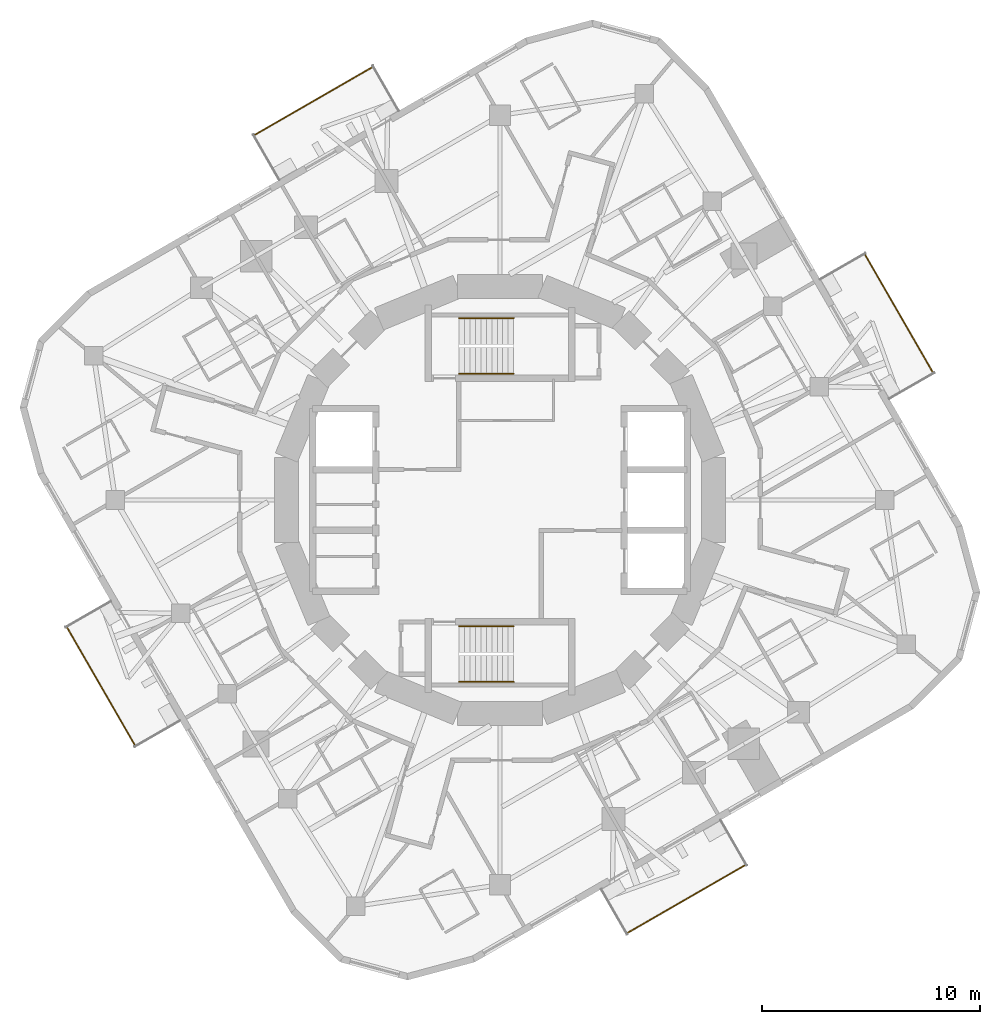
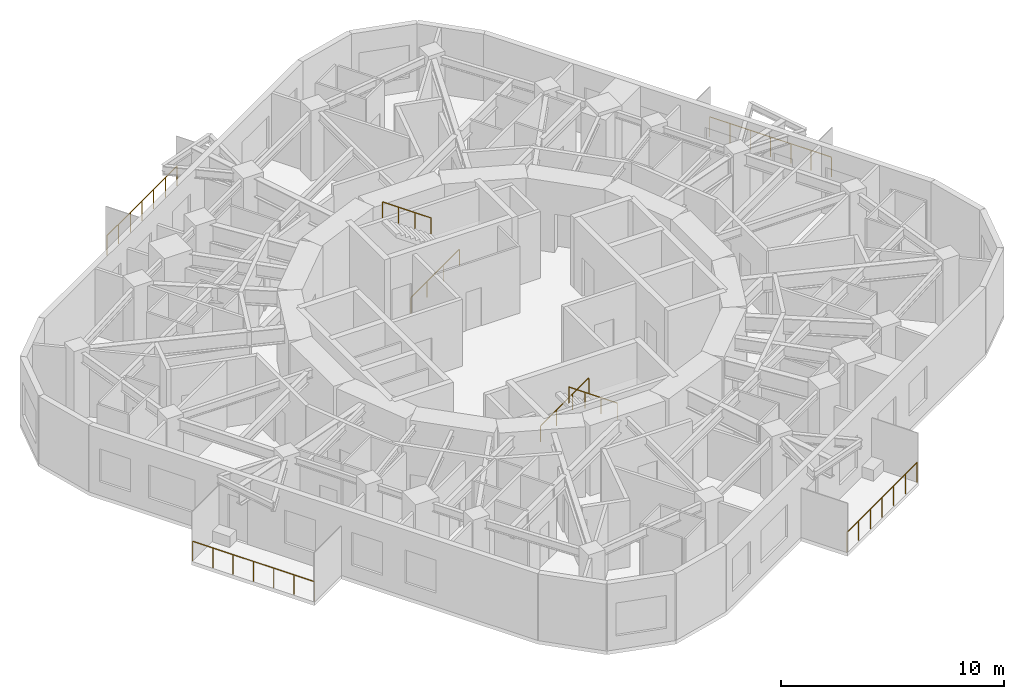
# One storey, part 10 of 11: 8 railings.
"""IFC4 building model written with IfcOpenShell, lengths in metres."""

from ifc_helpers import new_model, si_unit, direction, frame, origin, origin_2d, place, context, subcontext, project, spatial, circle, extrude, material, type_object, element, save


model = new_model("IFC4")

# Units and contexts
model_context = context("Model", 3, precision=1e-05, world=origin(), true_north=direction((0.0, 1.0)))
body_context = subcontext(model_context, "Body", "Model", "MODEL_VIEW")
ifc_project = project(units=[si_unit("LENGTHUNIT", "METRE"), si_unit("AREAUNIT", "SQUARE_METRE"), si_unit("VOLUMEUNIT", "CUBIC_METRE"), si_unit("PLANEANGLEUNIT", "RADIAN"), si_unit("MASSUNIT", "GRAM", prefix="KILO")], contexts=[model_context])

# Site, building, storey
site_placement = place(None, origin())
site = spatial("IfcSite", under=ifc_project, at=site_placement, CompositionType="ELEMENT")
building_placement = place(site_placement, origin())
building = spatial("IfcBuilding", under=site, at=building_placement, Name="Nakasero Lantern House", CompositionType="ELEMENT")
storey_placement = place(building_placement, frame((0.0, 0.0, 246.199951171875)))
storey = spatial("IfcBuildingStorey", under=building, at=storey_placement, Name="L60", CompositionType="ELEMENT", Elevation=246.199951171875)

# Railings
ifc_material_1 = material(Name="Aluminium 6063-T6", Category="aluminium")
railing_type_1 = type_object("IfcRailingType", Name="Balcony guard 1100", PredefinedType="BALUSTRADE", material=ifc_material_1)
railing_1_placement = place(storey_placement, frame((19.894775390625, 5.84130859375, 0.0)))
element("IfcRailing", 1, at=railing_1_placement, inside=storey, type_object=railing_type_1, Name="Balcony guard L60 BAL0", PredefinedType="BALUSTRADE", context=body_context, shape_type="SweptSolid", body=[
    extrude(circle(Radius=0.02392578125, at=origin_2d()), frame((0.0, 0.0, 1.076171875), z_axis=(-0.500007975732, 0.866020798945, 0.0), x_axis=(-0.866020798945, -0.500007975732, 0.0)), (0.0, 0.0, 1.0), 6.29150390625),
    extrude(circle(Radius=0.02099609375, at=origin_2d()), origin(), (0.0, 0.0, 1.0), 1.052001953125),
    extrude(circle(Radius=0.02099609375, at=origin_2d()), frame((-0.5244140625, 0.908203125, 0.0)), (0.0, 0.0, 1.0), 1.052001953125),
    extrude(circle(Radius=0.02099609375, at=origin_2d()), frame((-1.048583984375, 1.816162109375, 0.0)), (0.0, 0.0, 1.0), 1.052001953125),
    extrude(circle(Radius=0.02099609375, at=origin_2d()), frame((-1.57275390625, 2.72412109375, 0.0)), (0.0, 0.0, 1.0), 1.052001953125),
    extrude(circle(Radius=0.02099609375, at=origin_2d()), frame((-2.09716796875, 3.63232421875, 0.0)), (0.0, 0.0, 1.0), 1.052001953125),
    extrude(circle(Radius=0.02099609375, at=origin_2d()), frame((-2.62158203125, 4.54052734375, 0.0)), (0.0, 0.0, 1.0), 1.052001953125),
    extrude(circle(Radius=0.02099609375, at=origin_2d()), frame((-3.145751953125, 5.448486328125, 0.0)), (0.0, 0.0, 1.0), 1.052001953125),
])
railing_2_placement = place(storey_placement, frame((-5.84130859375, 19.894775390625, 0.0)))
element("IfcRailing", 2, at=railing_2_placement, inside=storey, type_object=railing_type_1, Name="Balcony guard L60 BAL1", PredefinedType="BALUSTRADE", context=body_context, shape_type="SweptSolid", body=[
    extrude(circle(Radius=0.02392578125, at=origin_2d()), frame((0.0, 0.0, 1.076171875), z_axis=(-0.866020798945, -0.500007975732, 0.0), x_axis=(0.500007975732, -0.866020798945, 0.0)), (0.0, 0.0, 1.0), 6.29150390625),
    extrude(circle(Radius=0.02099609375, at=origin_2d()), origin(), (0.0, 0.0, 1.0), 1.052001953125),
    extrude(circle(Radius=0.02099609375, at=origin_2d()), frame((-0.908203125, -0.5244140625, 0.0)), (0.0, 0.0, 1.0), 1.052001953125),
    extrude(circle(Radius=0.02099609375, at=origin_2d()), frame((-1.816162109375, -1.048583984375, 0.0)), (0.0, 0.0, 1.0), 1.052001953125),
    extrude(circle(Radius=0.02099609375, at=origin_2d()), frame((-2.72412109375, -1.57275390625, 0.0)), (0.0, 0.0, 1.0), 1.052001953125),
    extrude(circle(Radius=0.02099609375, at=origin_2d()), frame((-3.63232421875, -2.09716796875, 0.0)), (0.0, 0.0, 1.0), 1.052001953125),
    extrude(circle(Radius=0.02099609375, at=origin_2d()), frame((-4.54052734375, -2.62158203125, 0.0)), (0.0, 0.0, 1.0), 1.052001953125),
    extrude(circle(Radius=0.02099609375, at=origin_2d()), frame((-5.448486328125, -3.145751953125, 0.0)), (0.0, 0.0, 1.0), 1.052001953125),
])
railing_3_placement = place(storey_placement, frame((-19.894775390625, -5.84130859375, 0.0)))
element("IfcRailing", 3, at=railing_3_placement, inside=storey, type_object=railing_type_1, Name="Balcony guard L60 BAL2", PredefinedType="BALUSTRADE", context=body_context, shape_type="SweptSolid", body=[
    extrude(circle(Radius=0.02392578125, at=origin_2d()), frame((0.0, 0.0, 1.076171875), z_axis=(0.500007975732, -0.866020798945, 0.0), x_axis=(0.866020798945, 0.500007975732, 0.0)), (0.0, 0.0, 1.0), 6.29150390625),
    extrude(circle(Radius=0.02099609375, at=origin_2d()), origin(), (0.0, 0.0, 1.0), 1.052001953125),
    extrude(circle(Radius=0.02099609375, at=origin_2d()), frame((0.5244140625, -0.908203125, 0.0)), (0.0, 0.0, 1.0), 1.052001953125),
    extrude(circle(Radius=0.02099609375, at=origin_2d()), frame((1.048583984375, -1.816162109375, 0.0)), (0.0, 0.0, 1.0), 1.052001953125),
    extrude(circle(Radius=0.02099609375, at=origin_2d()), frame((1.57275390625, -2.72412109375, 0.0)), (0.0, 0.0, 1.0), 1.052001953125),
    extrude(circle(Radius=0.02099609375, at=origin_2d()), frame((2.09716796875, -3.63232421875, 0.0)), (0.0, 0.0, 1.0), 1.052001953125),
    extrude(circle(Radius=0.02099609375, at=origin_2d()), frame((2.62158203125, -4.54052734375, 0.0)), (0.0, 0.0, 1.0), 1.052001953125),
    extrude(circle(Radius=0.02099609375, at=origin_2d()), frame((3.145751953125, -5.448486328125, 0.0)), (0.0, 0.0, 1.0), 1.052001953125),
])
railing_4_placement = place(storey_placement, frame((5.84130859375, -19.894775390625, 0.0)))
element("IfcRailing", 4, at=railing_4_placement, inside=storey, type_object=railing_type_1, Name="Balcony guard L60 BAL3", PredefinedType="BALUSTRADE", context=body_context, shape_type="SweptSolid", body=[
    extrude(circle(Radius=0.02392578125, at=origin_2d()), frame((0.0, 0.0, 1.076171875), z_axis=(0.866020798945, 0.500007975732, 0.0), x_axis=(-0.500007975732, 0.866020798945, 0.0)), (0.0, 0.0, 1.0), 6.29150390625),
    extrude(circle(Radius=0.02099609375, at=origin_2d()), origin(), (0.0, 0.0, 1.0), 1.052001953125),
    extrude(circle(Radius=0.02099609375, at=origin_2d()), frame((0.908203125, 0.5244140625, 0.0)), (0.0, 0.0, 1.0), 1.052001953125),
    extrude(circle(Radius=0.02099609375, at=origin_2d()), frame((1.816162109375, 1.048583984375, 0.0)), (0.0, 0.0, 1.0), 1.052001953125),
    extrude(circle(Radius=0.02099609375, at=origin_2d()), frame((2.72412109375, 1.57275390625, 0.0)), (0.0, 0.0, 1.0), 1.052001953125),
    extrude(circle(Radius=0.02099609375, at=origin_2d()), frame((3.63232421875, 2.09716796875, 0.0)), (0.0, 0.0, 1.0), 1.052001953125),
    extrude(circle(Radius=0.02099609375, at=origin_2d()), frame((4.54052734375, 2.62158203125, 0.0)), (0.0, 0.0, 1.0), 1.052001953125),
    extrude(circle(Radius=0.02099609375, at=origin_2d()), frame((5.448486328125, 3.145751953125, 0.0)), (0.0, 0.0, 1.0), 1.052001953125),
])
ifc_material_2 = material(Name="Stainless steel 316", Category="steel")
railing_type_2 = type_object("IfcRailingType", Name="Stair handrail 900", PredefinedType="HANDRAIL", material=ifc_material_2)
railing_5_placement = place(storey_placement, frame((-1.875, 5.800048828125, 0.175048828125)))
element("IfcRailing", 5, at=railing_5_placement, inside=storey, type_object=railing_type_2, Name="Handrail ST1 L60 flight 1", PredefinedType="HANDRAIL", context=body_context, shape_type="SweptSolid", body=[
    extrude(circle(Radius=0.02392578125, at=origin_2d()), frame((0.0, 0.0, 0.8759765625), z_axis=(0.819231920519, 0.0, 0.573462344363), x_axis=(0.0, 1.0, 0.0)), (0.0, 0.0, 1.0), 3.0517578125),
    extrude(circle(Radius=0.02099609375, at=origin_2d()), origin(), (0.0, 0.0, 1.0), 0.851806640625),
    extrude(circle(Radius=0.02099609375, at=origin_2d()), frame((0.833251953125, 0.0, 0.583251953125)), (0.0, 0.0, 1.0), 0.851806640625),
    extrude(circle(Radius=0.02099609375, at=origin_2d()), frame((1.666748046875, 0.0, 1.166748046875)), (0.0, 0.0, 1.0), 0.851806640625),
    extrude(circle(Radius=0.02099609375, at=origin_2d()), frame((2.5, 0.0, 1.75)), (0.0, 0.0, 1.0), 0.851806640625),
])
railing_6_placement = place(storey_placement, frame((0.625, 8.35009765625, 2.10009765625)))
element("IfcRailing", 6, at=railing_6_placement, inside=storey, type_object=railing_type_2, Name="Handrail ST1 L60 flight 2", PredefinedType="HANDRAIL", context=body_context, shape_type="SweptSolid", body=[
    extrude(circle(Radius=0.02392578125, at=origin_2d()), frame((0.0, 0.0, 0.8759765625), z_axis=(-0.819231920519, 0.0, 0.573462344363), x_axis=(0.0, -1.0, 0.0)), (0.0, 0.0, 1.0), 3.0517578125),
    extrude(circle(Radius=0.02099609375, at=origin_2d()), origin(), (0.0, 0.0, 1.0), 0.851806640625),
    extrude(circle(Radius=0.02099609375, at=origin_2d()), frame((-0.833251953125, 0.0, 0.583251953125)), (0.0, 0.0, 1.0), 0.851806640625),
    extrude(circle(Radius=0.02099609375, at=origin_2d()), frame((-1.666748046875, 0.0, 1.166748046875)), (0.0, 0.0, 1.0), 0.851806640625),
    extrude(circle(Radius=0.02099609375, at=origin_2d()), frame((-2.5, 0.0, 1.75)), (0.0, 0.0, 1.0), 0.851806640625),
])
railing_7_placement = place(storey_placement, frame((-1.875, -5.800048828125, 0.175048828125)))
element("IfcRailing", 7, at=railing_7_placement, inside=storey, type_object=railing_type_2, Name="Handrail ST2 L60 flight 1", PredefinedType="HANDRAIL", context=body_context, shape_type="SweptSolid", body=[
    extrude(circle(Radius=0.02392578125, at=origin_2d()), frame((0.0, 0.0, 0.8759765625), z_axis=(0.819231920519, 0.0, 0.573462344363), x_axis=(0.0, 1.0, 0.0)), (0.0, 0.0, 1.0), 3.0517578125),
    extrude(circle(Radius=0.02099609375, at=origin_2d()), origin(), (0.0, 0.0, 1.0), 0.851806640625),
    extrude(circle(Radius=0.02099609375, at=origin_2d()), frame((0.833251953125, 0.0, 0.583251953125)), (0.0, 0.0, 1.0), 0.851806640625),
    extrude(circle(Radius=0.02099609375, at=origin_2d()), frame((1.666748046875, 0.0, 1.166748046875)), (0.0, 0.0, 1.0), 0.851806640625),
    extrude(circle(Radius=0.02099609375, at=origin_2d()), frame((2.5, 0.0, 1.75)), (0.0, 0.0, 1.0), 0.851806640625),
])
railing_8_placement = place(storey_placement, frame((0.625, -8.35009765625, 2.10009765625)))
element("IfcRailing", 8, at=railing_8_placement, inside=storey, type_object=railing_type_2, Name="Handrail ST2 L60 flight 2", PredefinedType="HANDRAIL", context=body_context, shape_type="SweptSolid", body=[
    extrude(circle(Radius=0.02392578125, at=origin_2d()), frame((0.0, 0.0, 0.8759765625), z_axis=(-0.819231920519, 0.0, 0.573462344363), x_axis=(0.0, -1.0, 0.0)), (0.0, 0.0, 1.0), 3.0517578125),
    extrude(circle(Radius=0.02099609375, at=origin_2d()), origin(), (0.0, 0.0, 1.0), 0.851806640625),
    extrude(circle(Radius=0.02099609375, at=origin_2d()), frame((-0.833251953125, 0.0, 0.583251953125)), (0.0, 0.0, 1.0), 0.851806640625),
    extrude(circle(Radius=0.02099609375, at=origin_2d()), frame((-1.666748046875, 0.0, 1.166748046875)), (0.0, 0.0, 1.0), 0.851806640625),
    extrude(circle(Radius=0.02099609375, at=origin_2d()), frame((-2.5, 0.0, 1.75)), (0.0, 0.0, 1.0), 0.851806640625),
])

save(model, "model.ifc")
